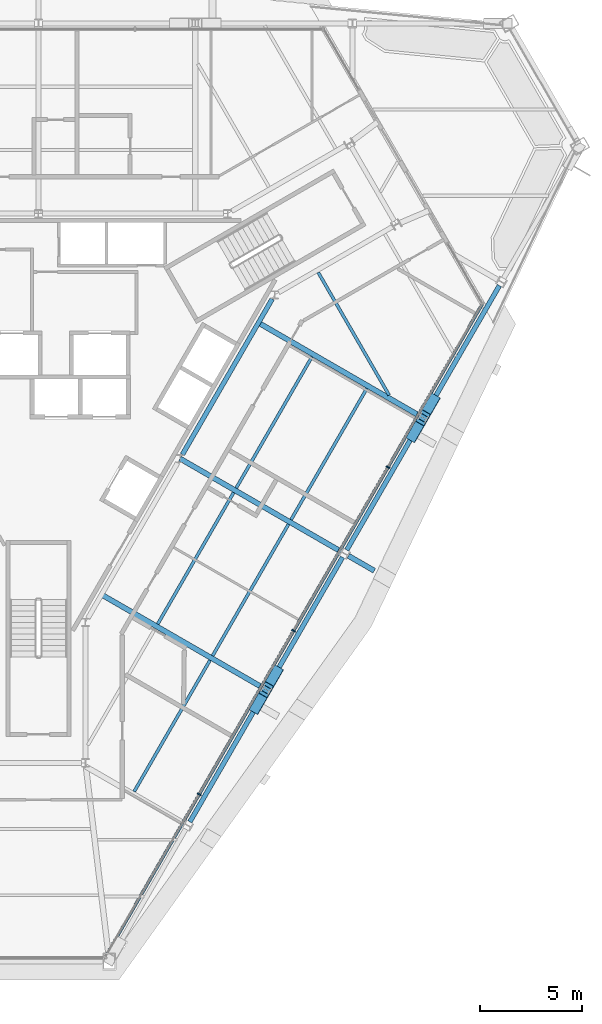
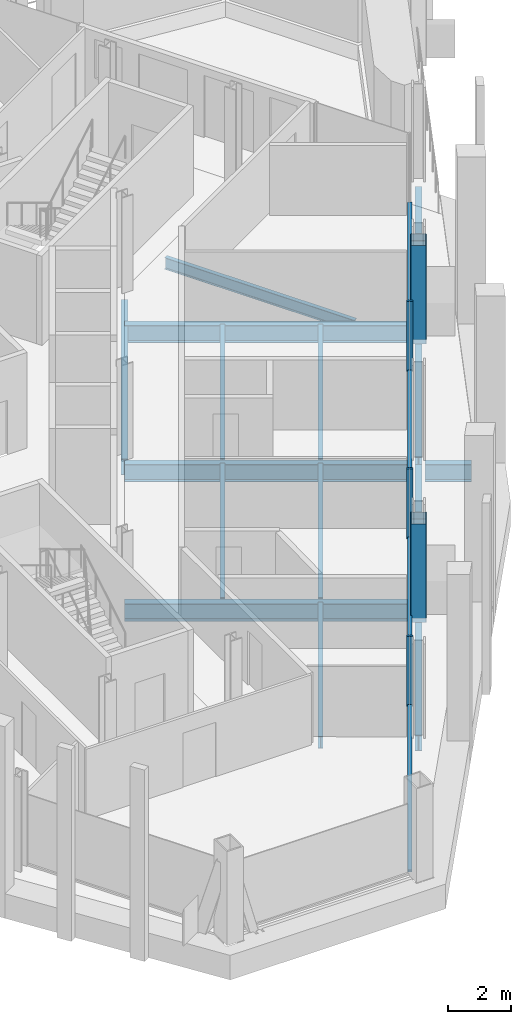
# One storey, part 4 of 13: 15 beams, 11 members, 1 element without a shape of its own.
"""IFC4 building model written with IfcOpenShell, lengths in metres."""

import ifcopenshell
import ifcopenshell.guid

model = None  # the IFC model being written
_history = None  # IfcOwnerHistory: only IFC2X3 demands one
_inside = {}  # id of a spatial element -> (the spatial element, [elements in it])
_under = {}  # id of a project, library or spatial element -> (it, [spatial elements below it])
_declared = {}  # id of a project -> (the project, [libraries it declares])
_typed = {}  # id of a type object -> (the type object, [elements of that type])
_made_of = {}  # id of a material, layer set ... -> (it, [elements and type objects made of it])


def new_model(schema):
    """Start an empty IFC model of exactly this schema.

    Asked for "IFC4X3", IfcOpenShell would pick the latest addendum, in which some entities
    have other attributes; the version numbers below select the first issue.
    IFC2X3 requires an IfcOwnerHistory on every rooted entity: one is made here for all.
    """
    global model, _history
    if schema == "IFC4X3":
        model = ifcopenshell.file(schema_version=(4, 3, 0, 0))
    else:
        model = ifcopenshell.file(schema=schema)
    _inside.clear()
    _under.clear()
    _declared.clear()
    _typed.clear()
    _made_of.clear()
    _history = None
    if model.schema == "IFC2X3":
        org = make("IfcOrganization", Name="unknown")
        user = make(
            "IfcPersonAndOrganization",
            ThePerson=make("IfcPerson", FamilyName="unknown"),
            TheOrganization=org,
        )
        app = make(
            "IfcApplication",
            ApplicationDeveloper=org,
            Version="unknown",
            ApplicationFullName="unknown",
            ApplicationIdentifier="unknown",
        )
        _history = make(
            "IfcOwnerHistory",
            OwningUser=user,
            OwningApplication=app,
            ChangeAction="ADDED",
            CreationDate=0,
        )
    return model


def make(cls, **values):
    """One entity of the class cls with the attributes given. An attribute that is None is left unset."""
    return model.create_entity(
        cls, **{name: value for name, value in values.items() if value is not None}
    )


def rooted(cls, **values):
    """An entity with a GlobalId (a new one), such as an element, a storey or a relation."""
    return make(cls, GlobalId=ifcopenshell.guid.new(), OwnerHistory=_history, **values)


def si_unit(unit_type, name, prefix=None):
    """IfcSIUnit, for example si_unit("LENGTHUNIT", "METRE", prefix="MILLI")."""
    return make("IfcSIUnit", UnitType=unit_type, Prefix=prefix, Name=name)


def assignment(units):
    """IfcUnitAssignment: the units of a project."""
    return None if units is None else make("IfcUnitAssignment", Units=units)


def point(xyz):
    """IfcCartesianPoint."""
    return None if xyz is None else make("IfcCartesianPoint", Coordinates=xyz)


def direction(xyz):
    """IfcDirection."""
    return None if xyz is None else make("IfcDirection", DirectionRatios=xyz)


def frame(location, z_axis=None, x_axis=None):
    """IfcAxis2Placement3D, a coordinate frame: its origin and axes. An axis left out is left unset."""
    return make(
        "IfcAxis2Placement3D",
        Location=point(location),
        Axis=direction(z_axis),
        RefDirection=direction(x_axis),
    )


def frame_2d(location, x_axis=None):
    """IfcAxis2Placement2D, a coordinate frame in the plane: its origin and x axis."""
    return make(
        "IfcAxis2Placement2D", Location=point(location), RefDirection=direction(x_axis)
    )


def origin():
    """The frame at (0, 0, 0) with its axes left unset."""
    return frame((0.0, 0.0, 0.0))


def origin_2d():
    """The frame at (0, 0) in the plane with its x axis left unset."""
    return frame_2d((0.0, 0.0))


def place(relative_to, where):
    """IfcLocalPlacement: puts the frame where relative to a parent placement (None: the world)."""
    return make(
        "IfcLocalPlacement", PlacementRelTo=relative_to, RelativePlacement=where
    )


def context(
    kind, dimensions, precision=None, world=None, true_north=None, identifier=None
):
    """IfcGeometricRepresentationContext, for example the 3D "Model" context."""
    return make(
        "IfcGeometricRepresentationContext",
        ContextIdentifier=identifier,
        ContextType=kind,
        CoordinateSpaceDimension=dimensions,
        Precision=precision,
        WorldCoordinateSystem=world,
        TrueNorth=true_north,
    )


def subcontext(parent, identifier, kind, view, scale=None):
    """IfcGeometricRepresentationSubContext, for example "Body" below "Model"."""
    return make(
        "IfcGeometricRepresentationSubContext",
        ContextIdentifier=identifier,
        ContextType=kind,
        ParentContext=parent,
        TargetScale=scale,
        TargetView=view,
    )


def project(units=None, contexts=None):
    """IfcProject with its units and contexts."""
    return rooted(
        "IfcProject",
        Name="project",
        RepresentationContexts=contexts,
        UnitsInContext=assignment(units),
    )


def spatial(cls, under=None, at=None, **own):
    """A site, building, storey or space (cls), placed at a placement, below another one or the project."""
    s = rooted(cls, ObjectPlacement=at, **own)
    if under is not None:
        _under.setdefault(under.id(), (under, []))[1].append(s)
    return s


def profile(cls, at=None, kind="AREA", **sizes):
    """A parametric profile (cls). Its sizes go by their IFC names, for example OverallWidth=200.0."""
    return make(cls, ProfileType=kind, Position=at, **sizes)


def rectangle(**sizes):
    """IfcRectangleProfileDef."""
    return profile("IfcRectangleProfileDef", **sizes)


def hollow_rectangle(**sizes):
    """IfcRectangleHollowProfileDef."""
    return profile("IfcRectangleHollowProfileDef", **sizes)


def i_section(**sizes):
    """IfcIShapeProfileDef."""
    return profile("IfcIShapeProfileDef", **sizes)


def extrude(swept, where, along, depth):
    """IfcExtrudedAreaSolid: the profile swept, set in the frame where, extruded along a direction by depth."""
    return make(
        "IfcExtrudedAreaSolid",
        SweptArea=swept,
        Position=where,
        ExtrudedDirection=direction(along),
        Depth=depth,
    )


def shape(context_of_items, identifier, shape_type, items):
    """IfcShapeRepresentation: the items that make up one representation, for example the "Body"."""
    return make(
        "IfcShapeRepresentation",
        ContextOfItems=context_of_items,
        RepresentationIdentifier=identifier,
        RepresentationType=shape_type,
        Items=items,
    )


def material(Name=None, Category=None):
    """IfcMaterial."""
    return make("IfcMaterial", Name=Name, Category=Category)


def material_profile(
    of_material, cross_section, Name=None, Category=None, Priority=None
):
    """IfcMaterialProfile: a cross section and its material."""
    return make(
        "IfcMaterialProfile",
        Name=Name,
        Material=of_material,
        Profile=cross_section,
        Priority=Priority,
        Category=Category,
    )


def profile_set(profiles, Name=None, composite=None):
    """IfcMaterialProfileSet."""
    return make(
        "IfcMaterialProfileSet",
        Name=Name,
        MaterialProfiles=profiles,
        CompositeProfile=composite,
    )


def made_of(thing, what):
    """Note that an element or type object is made of a material, layer set ...; save() writes the relation."""
    if what is not None:
        _made_of.setdefault(what.id(), (what, []))[1].append(thing)
    return thing


def type_object(cls, material=None, **own):
    """A type object (cls), such as IfcWallType, which elements share."""
    return made_of(rooted(cls, **own), material)


def element(
    cls,
    number,
    at=None,
    inside=None,
    cuts=None,
    type_object=None,
    material=None,
    context=None,
    identifier="Body",
    shape_type=None,
    held_by="IfcProductDefinitionShape",
    body=None,
    shapes=None,
    **own,
):
    """One element of the class cls, such as IfcWall. Its Tag is "e" and its number.

    at: its placement. inside: the storey or other place that contains it. cuts: it is an
    opening in that element (IfcRelVoidsElement). A single representation is given by context,
    identifier, shape_type and body (its items); several are given by shapes. held_by: the class
    of the entity that holds the representations. save() writes the other relations.
    """
    e = rooted(cls, Tag="e%d" % number, ObjectPlacement=at, **own)
    if body is not None:
        shapes = [shape(context, identifier, shape_type, body)]
    if shapes is not None:
        e.Representation = make(held_by, Representations=shapes)
    if inside is not None:
        _inside.setdefault(inside.id(), (inside, []))[1].append(e)
    if cuts is not None:
        rooted(
            "IfcRelVoidsElement", RelatingBuildingElement=cuts, RelatedOpeningElement=e
        )
    if type_object is not None:
        _typed.setdefault(type_object.id(), (type_object, []))[1].append(e)
    return made_of(e, material)


def aggregate(whole, parts):
    """IfcRelAggregates: a whole, such as a stair, and the parts it consists of."""
    return rooted("IfcRelAggregates", RelatingObject=whole, RelatedObjects=parts)


def save(model, path):
    """Write the relations noted so far, then the file.

    IfcRelAggregates (storeys below a building ...), IfcRelContainedInSpatialStructure (elements
    in a storey), IfcRelDefinesByType, IfcRelAssociatesMaterial and IfcRelDeclares: one each for
    every whole, place, type object, material and project.
    """
    for whole, parts in _under.values():
        aggregate(whole, parts)
    for where, things in _inside.values():
        rooted(
            "IfcRelContainedInSpatialStructure",
            RelatedElements=things,
            RelatingStructure=where,
        )
    for kind, things in _typed.values():
        rooted("IfcRelDefinesByType", RelatedObjects=things, RelatingType=kind)
    for what, things in _made_of.values():
        rooted("IfcRelAssociatesMaterial", RelatedObjects=things, RelatingMaterial=what)
    for by, libraries in _declared.values():
        rooted("IfcRelDeclares", RelatingContext=by, RelatedDefinitions=libraries)
    model.write(path)


model = new_model("IFC4")

# Units and contexts
model_context = context("Model", 3, precision=1e-05, world=origin(), true_north=direction((0.0, 1.0)))
body_context = subcontext(model_context, "Body", "Model", "MODEL_VIEW")
ifc_project = project(units=[si_unit("LENGTHUNIT", "METRE"), si_unit("AREAUNIT", "SQUARE_METRE"), si_unit("VOLUMEUNIT", "CUBIC_METRE"), si_unit("PLANEANGLEUNIT", "RADIAN"), si_unit("MASSUNIT", "GRAM", prefix="KILO")], contexts=[model_context])

# Site, building, storey
site_placement = place(None, origin())
site = spatial("IfcSite", under=ifc_project, at=site_placement, CompositionType="ELEMENT")
building_placement = place(site_placement, origin())
building = spatial("IfcBuilding", under=site, at=building_placement, Name="Verrane Prism Tower", CompositionType="ELEMENT")
storey_placement = place(building_placement, frame((0.0, 0.0, 171.0)))
storey = spatial("IfcBuildingStorey", under=building, at=storey_placement, Name="L42", CompositionType="ELEMENT", Elevation=171.0)

# Beam
ifc_material_1 = material(Name="Steel A992", Category="steel")
ifc_material_profile_1 = material_profile(ifc_material_1, i_section(OverallWidth=0.23046875, OverallDepth=0.6171875, WebThickness=0.01318359375, FlangeThickness=0.022216796875, FilletRadius=0.012939453125, at=origin_2d()), Name="W24x94")
ifc_profile_set_1 = profile_set([ifc_material_profile_1], Name="Steel A992")
beam_type_1 = type_object("IfcBeamType", Name="Core ring girder W24x94", PredefinedType="BEAM", material=ifc_profile_set_1)
beam_1_placement = place(storey_placement, frame((7.045166015625, -3.800537109375, -0.55859375), z_axis=(0.499967414725, 0.866044216084, 0.0), x_axis=(-0.866044216084, 0.499967414725, 0.0)))
element("IfcBeam", 1, at=beam_1_placement, inside=storey, type_object=beam_type_1, Name="Core ring girder L42", PredefinedType="BEAM", context=body_context, shape_type="SweptSolid", body=[
    extrude(i_section(OverallWidth=0.23046875, OverallDepth=0.6171875, WebThickness=0.01318359375, FlangeThickness=0.022216796875, FilletRadius=0.012939453125, at=origin_2d()), origin(), (0.0, 0.0, 1.0), 8.7998046875),
])

# Members
ifc_material_2 = material(Name="Steel A500 Grade C", Category="steel")
ifc_material_profile_2 = material_profile(ifc_material_2, hollow_rectangle(XDim=0.508056640625, YDim=0.508056640625, WallThickness=0.01904296875, InnerFilletRadius=0.009521484375, OuterFilletRadius=0.028564453125, at=origin_2d()), Name="HSS20x20x3/4")
ifc_profile_set_2 = profile_set([ifc_material_profile_2], Name="Steel A500 Grade C")
member_type_1 = type_object("IfcMemberType", Name="Facade brace HSS20x20x3/4", PredefinedType="BRACE", material=ifc_profile_set_2)
member_1_placement = place(storey_placement, frame((10.638916015625, -16.1953125, -0.216796875), z_axis=(0.142090690467, 0.246151880924, 0.958759347908), x_axis=(-0.866063739398, 0.499933594891, 0.0)))
element("IfcMember", 2, at=member_1_placement, inside=storey, type_object=member_type_1, Name="Facade brace SE1 L42", PredefinedType="BRACE", context=body_context, shape_type="SweptSolid", body=[
    extrude(hollow_rectangle(XDim=0.508056640625, YDim=0.508056640625, WallThickness=0.01904296875, InnerFilletRadius=0.009521484375, OuterFilletRadius=0.028564453125, at=origin_2d()), origin(), (0.0, 0.0, 1.0), 3.286865234375),
])
member_2_placement = place(storey_placement, frame((11.6611328125, -14.42333984375, -0.216796875), z_axis=(-0.142077693041, -0.2465007126, 0.958671647556), x_axis=(0.866389767609, -0.499368371629, 0.0)))
element("IfcMember", 3, at=member_2_placement, inside=storey, type_object=member_type_1, Name="Facade brace SE2 L42", PredefinedType="BRACE", context=body_context, shape_type="SweptSolid", body=[
    extrude(hollow_rectangle(XDim=0.508056640625, YDim=0.508056640625, WallThickness=0.01904296875, InnerFilletRadius=0.009521484375, OuterFilletRadius=0.028564453125, at=origin_2d()), origin(), (0.0, 0.0, 1.0), 3.287109375),
])
for number, where, z_axis, x_axis, name in (
    (4, (18.31884765625, -2.88525390625, -0.216796875), (0.142090690467, 0.246151880924, 0.958759347908), (-0.866063739398, 0.499933594891, 0.0), "Facade brace SE3 L42"),
    (5, (19.34130859375, -1.11474609375, -0.216796875), (-0.142163466059, -0.246149282404, 0.958749226696), (0.86595058071, -0.500129574979, 0.0), "Facade brace SE4 L42"),
):
    element("IfcMember", number, at=place(storey_placement, frame(where, z_axis=z_axis, x_axis=x_axis)), inside=storey, type_object=member_type_1, Name=name, PredefinedType="BRACE", context=body_context, shape_type="SweptSolid", body=[
        extrude(hollow_rectangle(XDim=0.508056640625, YDim=0.508056640625, WallThickness=0.01904296875, InnerFilletRadius=0.009521484375, OuterFilletRadius=0.028564453125, at=origin_2d()), origin(), (0.0, 0.0, 1.0), 3.286865234375),
    ])

# Beams
ifc_material_3 = material(Name="Steel A992", Category="steel")
ifc_material_profile_3 = material_profile(ifc_material_3, i_section(OverallWidth=0.15234375, OverallDepth=0.449462890625, WebThickness=0.007568359375, FlangeThickness=0.0107421875, FilletRadius=0.01025390625, at=origin_2d()), Name="W18x35")
ifc_profile_set_3 = profile_set([ifc_material_profile_3], Name="Steel A992")
beam_type_2 = type_object("IfcBeamType", Name="Floor beam W18x35", PredefinedType="BEAM", material=ifc_profile_set_3)
beam_2_placement = place(storey_placement, frame((4.686279296875, -20.299072265625, -0.384765625), z_axis=(0.500022277658, 0.866012541391, 0.0), x_axis=(-0.866012541391, 0.500022277658, 0.0)))
element("IfcBeam", 6, at=beam_2_placement, inside=storey, type_object=beam_type_2, Name="Floor beam L42", PredefinedType="BEAM", context=body_context, shape_type="SweptSolid", body=[
    extrude(i_section(OverallWidth=0.15234375, OverallDepth=0.449462890625, WebThickness=0.007568359375, FlangeThickness=0.0107421875, FilletRadius=0.01025390625, at=origin_2d()), origin(), (0.0, 0.0, 1.0), 7.424560546875),
])
beam_3_placement = place(storey_placement, frame((8.525390625, -13.6494140625, -0.384765625), z_axis=(0.500006734102, 0.866021515814, 0.0), x_axis=(-0.866021515814, 0.500006734102, 0.0)))
element("IfcBeam", 7, at=beam_3_placement, inside=storey, type_object=beam_type_2, Name="Floor beam L42", PredefinedType="BEAM", context=body_context, shape_type="SweptSolid", body=[
    extrude(i_section(OverallWidth=0.15234375, OverallDepth=0.449462890625, WebThickness=0.007568359375, FlangeThickness=0.0107421875, FilletRadius=0.01025390625, at=origin_2d()), origin(), (0.0, 0.0, 1.0), 7.43408203125),
])
beam_4_placement = place(storey_placement, frame((5.837646484375, -12.098388671875, -0.384765625), z_axis=(0.499996323716, 0.866027526278, 0.0), x_axis=(-0.866027526278, 0.499996323716, 0.0)))
element("IfcBeam", 8, at=beam_4_placement, inside=storey, type_object=beam_type_2, Name="Floor beam L42", PredefinedType="BEAM", context=body_context, shape_type="SweptSolid", body=[
    extrude(i_section(OverallWidth=0.15234375, OverallDepth=0.449462890625, WebThickness=0.007568359375, FlangeThickness=0.0107421875, FilletRadius=0.01025390625, at=origin_2d()), origin(), (0.0, 0.0, 1.0), 7.43359375),
])
for number, where, z_axis, x_axis, name in (
    (9, (12.3671875, -6.990234375, -0.384765625), (0.499979562871, 0.866037202845, 0.0), (-0.866037202845, 0.499979562871, 0.0), "Floor beam L42"),
    (10, (9.680419921875, -5.440185546875, -0.384765625), (0.499979562871, 0.866037202845, 0.0), (-0.866037202845, 0.499979562871, 0.0), "Floor beam L42"),
):
    element("IfcBeam", number, at=place(storey_placement, frame(where, z_axis=z_axis, x_axis=x_axis)), inside=storey, type_object=beam_type_2, Name=name, PredefinedType="BEAM", context=body_context, shape_type="SweptSolid", body=[
        extrude(i_section(OverallWidth=0.15234375, OverallDepth=0.449462890625, WebThickness=0.007568359375, FlangeThickness=0.0107421875, FilletRadius=0.01025390625, at=origin_2d()), origin(), (0.0, 0.0, 1.0), 7.425048828125),
    ])
beam_5_placement = place(storey_placement, frame((17.16796875, -0.894287109375, -0.384765625), z_axis=(-0.500014592972, 0.866016978364, 0.0), x_axis=(-0.866016978364, -0.500014592972, 0.0)))
element("IfcBeam", 11, at=beam_5_placement, inside=storey, type_object=beam_type_2, Name="Floor beam L42", PredefinedType="BEAM", context=body_context, shape_type="SweptSolid", body=[
    extrude(i_section(OverallWidth=0.15234375, OverallDepth=0.449462890625, WebThickness=0.007568359375, FlangeThickness=0.0107421875, FilletRadius=0.01025390625, at=origin_2d()), origin(), (0.0, 0.0, 1.0), 6.944580078125),
])

# Curtain wall, members
ifc_material_4 = material(Name="Aluminium framed insulated glazing", Category="aluminium")
curtain_wall_type = type_object("IfcCurtainWallType", Name="Curtain wall CW-A 8400 module", PredefinedType="NOTDEFINED", material=ifc_material_4)
curtain_wall_placement = place(storey_placement, origin())
curtain_wall = element("IfcCurtainWall", 12, at=curtain_wall_placement, inside=storey, type_object=curtain_wall_type, Name="Glazed curtain wall south-east face L42", PredefinedType="NOTDEFINED")
ifc_material_5 = material(Name="Aluminium alloy 6063-T6", Category="aluminium")
ifc_material_profile_4 = material_profile(ifc_material_5, rectangle(XDim=0.199951171875, YDim=0.070068359375, at=origin_2d()), Name="Mullion 70x200 aluminium")
ifc_profile_set_4 = profile_set([ifc_material_profile_4], Name="Aluminium alloy 6063-T6")
member_type_2 = type_object("IfcMemberType", Name="Mullion 70x200 aluminium", PredefinedType="MULLION", material=ifc_profile_set_4)
member_3_placement = place(storey_placement, frame((7.869140625, -20.43212890625, 0.0), z_axis=(0.0, 0.0, 1.0), x_axis=(-0.866026333389, 0.499998389874, 0.0)))
member_3 = element("IfcMember", 13, at=member_3_placement, type_object=member_type_2, Name="CW42.6 mullion 2", PredefinedType="MULLION", context=body_context, shape_type="SweptSolid", body=[
    extrude(rectangle(XDim=0.199951171875, YDim=0.070068359375, at=origin_2d()), origin(), (0.0, 0.0, 1.0), 2.712890625),
])
member_4_placement = place(storey_placement, frame((12.4912109375, -12.4267578125, 0.0), z_axis=(0.0, 0.0, 1.0), x_axis=(-0.866026333389, 0.499998389874, 0.0)))
member_4 = element("IfcMember", 14, at=member_4_placement, type_object=member_type_2, Name="CW42.6 mullion 3", PredefinedType="MULLION", context=body_context, shape_type="SweptSolid", body=[
    extrude(rectangle(XDim=0.199951171875, YDim=0.070068359375, at=origin_2d()), origin(), (0.0, 0.0, 1.0), 2.712890625),
])
member_5_placement = place(storey_placement, frame((17.113037109375, -4.42138671875, 0.0), z_axis=(0.0, 0.0, 1.0), x_axis=(-0.866026333389, 0.499998389874, 0.0)))
member_5 = element("IfcMember", 15, at=member_5_placement, type_object=member_type_2, Name="CW42.6 mullion 4", PredefinedType="MULLION", context=body_context, shape_type="SweptSolid", body=[
    extrude(rectangle(XDim=0.199951171875, YDim=0.070068359375, at=origin_2d()), origin(), (0.0, 0.0, 1.0), 2.712890625),
])

# Beams
ifc_material_6 = material(Name="Steel A992", Category="steel")
ifc_material_profile_5 = material_profile(ifc_material_6, i_section(OverallWidth=0.25390625, OverallDepth=0.683349609375, WebThickness=0.012451171875, FlangeThickness=0.01904296875, FilletRadius=0.01513671875, at=origin_2d()), Name="W27x94")
ifc_profile_set_5 = profile_set([ifc_material_profile_5], Name="Steel A992")
beam_type_3 = type_object("IfcBeamType", Name="Radial girder W27x94", PredefinedType="BEAM", material=ifc_profile_set_5)
beam_6_placement = place(storey_placement, frame((10.9619140625, -15.201416015625, -0.5615234375), z_axis=(-0.866021925876, 0.500006023866, 0.0), x_axis=(-0.500006023866, -0.866021925876, 0.0)))
element("IfcBeam", 16, at=beam_6_placement, inside=storey, type_object=beam_type_3, Name="Radial girder L42", PredefinedType="BEAM", context=body_context, shape_type="SweptSolid", body=[
    extrude(i_section(OverallWidth=0.25390625, OverallDepth=0.683349609375, WebThickness=0.012451171875, FlangeThickness=0.01904296875, FilletRadius=0.01513671875, at=origin_2d()), origin(), (0.0, 0.0, 1.0), 9.09228515625),
])
beam_7_placement = place(storey_placement, frame((14.802001953125, -8.54150390625, -0.5615234375), z_axis=(-0.866020960005, 0.500007696773, 0.0), x_axis=(-0.500007696773, -0.866020960005, 0.0)))
element("IfcBeam", 17, at=beam_7_placement, inside=storey, type_object=beam_type_3, Name="Radial girder L42", PredefinedType="BEAM", context=body_context, shape_type="SweptSolid", body=[
    extrude(i_section(OverallWidth=0.25390625, OverallDepth=0.683349609375, WebThickness=0.012451171875, FlangeThickness=0.01904296875, FilletRadius=0.01513671875, at=origin_2d()), origin(), (0.0, 0.0, 1.0), 9.088134765625),
])
beam_8_placement = place(storey_placement, frame((18.641845703125, -1.891357421875, -0.5615234375), z_axis=(-0.866022759689, 0.500004579679, 0.0), x_axis=(-0.500004579679, -0.866022759689, 0.0)))
element("IfcBeam", 18, at=beam_8_placement, inside=storey, type_object=beam_type_3, Name="Radial girder L42", PredefinedType="BEAM", context=body_context, shape_type="SweptSolid", body=[
    extrude(i_section(OverallWidth=0.25390625, OverallDepth=0.683349609375, WebThickness=0.012451171875, FlangeThickness=0.01904296875, FilletRadius=0.01513671875, at=origin_2d()), origin(), (0.0, 0.0, 1.0), 9.0888671875),
])
beam_9_placement = place(storey_placement, frame((15.174560546875, -8.756591796875, -0.5615234375), z_axis=(0.866035418383, -0.499982653806, 0.0), x_axis=(0.499982653806, 0.866035418383, 0.0)))
element("IfcBeam", 19, at=beam_9_placement, inside=storey, type_object=beam_type_3, Name="Cantilever girder L42", PredefinedType="BEAM", context=body_context, shape_type="SweptSolid", body=[
    extrude(i_section(OverallWidth=0.25390625, OverallDepth=0.683349609375, WebThickness=0.012451171875, FlangeThickness=0.01904296875, FilletRadius=0.01513671875, at=origin_2d()), origin(), (0.0, 0.0, 1.0), 1.4619140625),
])
ifc_material_7 = material(Name="Steel A992", Category="steel")
ifc_material_profile_6 = material_profile(ifc_material_7, i_section(OverallWidth=0.23046875, OverallDepth=0.6171875, WebThickness=0.01318359375, FlangeThickness=0.022216796875, FilletRadius=0.012939453125, at=origin_2d()), Name="W24x94")
ifc_profile_set_6 = profile_set([ifc_material_profile_6], Name="Steel A992")
beam_type_4 = type_object("IfcBeamType", Name="Spandrel beam W24x94", PredefinedType="SPANDREL", material=ifc_profile_set_6)
beam_10_placement = place(storey_placement, frame((7.412841796875, -21.78173828125, -0.468505859375), z_axis=(0.50007721572, 0.865980818678, 0.0), x_axis=(-0.865980818678, 0.50007721572, 0.0)))
element("IfcBeam", 20, at=beam_10_placement, inside=storey, type_object=beam_type_4, Name="Spandrel beam L42", PredefinedType="SPANDREL", context=body_context, shape_type="SweptSolid", body=[
    extrude(i_section(OverallWidth=0.23046875, OverallDepth=0.6171875, WebThickness=0.01318359375, FlangeThickness=0.022216796875, FilletRadius=0.012939453125, at=origin_2d()), origin(), (0.0, 0.0, 1.0), 7.267333984375),
])
beam_11_placement = place(storey_placement, frame((11.252685546875, -15.1318359375, -0.468505859375), z_axis=(0.499492001644, 0.866318498183, 0.0), x_axis=(-0.866318498183, 0.499492001644, 0.0)))
element("IfcBeam", 21, at=beam_11_placement, inside=storey, type_object=beam_type_4, Name="Spandrel beam L42", PredefinedType="SPANDREL", context=body_context, shape_type="SweptSolid", body=[
    extrude(i_section(OverallWidth=0.23046875, OverallDepth=0.6171875, WebThickness=0.01318359375, FlangeThickness=0.022216796875, FilletRadius=0.012939453125, at=origin_2d()), origin(), (0.0, 0.0, 1.0), 7.2763671875),
])
for number, where, z_axis, x_axis, name in (
    (22, (15.093017578125, -8.4716796875, -0.468505859375), (0.500052022334, 0.865995366592, 0.0), (-0.865995366592, 0.500052022334, 0.0), "Spandrel beam L42"),
    (23, (18.932861328125, -1.82177734375, -0.468505859375), (0.50007721572, 0.865980818678, 0.0), (-0.865980818678, 0.50007721572, 0.0), "Spandrel beam L42"),
):
    element("IfcBeam", number, at=place(storey_placement, frame(where, z_axis=z_axis, x_axis=x_axis)), inside=storey, type_object=beam_type_4, Name=name, PredefinedType="SPANDREL", context=body_context, shape_type="SweptSolid", body=[
        extrude(i_section(OverallWidth=0.23046875, OverallDepth=0.6171875, WebThickness=0.01318359375, FlangeThickness=0.022216796875, FilletRadius=0.012939453125, at=origin_2d()), origin(), (0.0, 0.0, 1.0), 7.267333984375),
    ])

# Member
ifc_material_8 = material(Name="Aluminium alloy 6063-T6", Category="aluminium")
ifc_material_profile_7 = material_profile(ifc_material_8, rectangle(XDim=0.14990234375, YDim=0.070068359375, at=origin_2d()), Name="Transom 70x150 aluminium")
ifc_profile_set_7 = profile_set([ifc_material_profile_7], Name="Aluminium alloy 6063-T6")
member_type_3 = type_object("IfcMemberType", Name="Transom 70x150 aluminium", PredefinedType="USERDEFINED", material=ifc_profile_set_7)
member_6_placement = place(storey_placement, frame((3.2822265625, -28.376953125, 0.034912109375), z_axis=(0.500009195793, 0.866020094525, 0.0), x_axis=(-0.866020094525, 0.500009195793, 0.0)))
member_6 = element("IfcMember", 24, at=member_6_placement, type_object=member_type_3, Name="CW42.6 transom 1", ObjectType="TRANSOM", PredefinedType="USERDEFINED", context=body_context, shape_type="SweptSolid", body=[
    extrude(rectangle(XDim=0.14990234375, YDim=0.070068359375, at=origin_2d()), origin(), (0.0, 0.0, 1.0), 9.138916015625),
])

member_7_placement = place(storey_placement, frame((7.88671875, -20.40185546875, 0.034912109375), z_axis=(0.49999735617, 0.866026930195, 0.0), x_axis=(-0.866026930195, 0.49999735617, 0.0)))
member_7 = element("IfcMember", 25, at=member_7_placement, type_object=member_type_3, Name="CW42.6 transom 2", ObjectType="TRANSOM", PredefinedType="USERDEFINED", context=body_context, shape_type="SweptSolid", body=[
    extrude(rectangle(XDim=0.14990234375, YDim=0.070068359375, at=origin_2d()), origin(), (0.0, 0.0, 1.0), 9.173828125),
])

member_8_placement = place(storey_placement, frame((12.508544921875, -12.396484375, 0.034912109375), z_axis=(0.49999735617, 0.866026930195, 0.0), x_axis=(-0.866026930195, 0.49999735617, 0.0)))
member_8 = element("IfcMember", 26, at=member_8_placement, type_object=member_type_3, Name="CW42.6 transom 3", ObjectType="TRANSOM", PredefinedType="USERDEFINED", context=body_context, shape_type="SweptSolid", body=[
    extrude(rectangle(XDim=0.14990234375, YDim=0.070068359375, at=origin_2d()), origin(), (0.0, 0.0, 1.0), 9.173828125),
])

member_9_placement = place(storey_placement, frame((17.130615234375, -4.39111328125, 0.034912109375), z_axis=(0.499985606157, 0.866033713914, 0.0), x_axis=(-0.866033713914, 0.499985606157, 0.0)))
member_9 = element("IfcMember", 27, at=member_9_placement, type_object=member_type_3, Name="CW42.6 transom 4", ObjectType="TRANSOM", PredefinedType="USERDEFINED", context=body_context, shape_type="SweptSolid", body=[
    extrude(rectangle(XDim=0.14990234375, YDim=0.070068359375, at=origin_2d()), origin(), (0.0, 0.0, 1.0), 9.208740234375),
])

aggregate(curtain_wall, [member_3, member_4, member_5, member_6, member_7, member_8, member_9])

save(model, "model.ifc")
